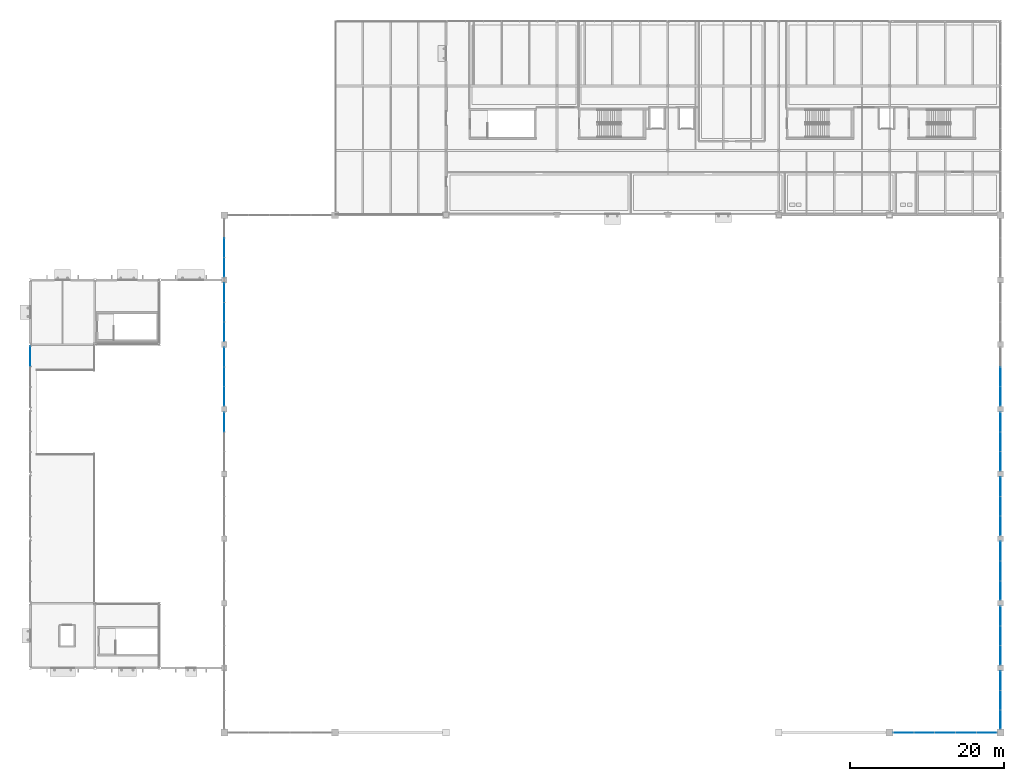
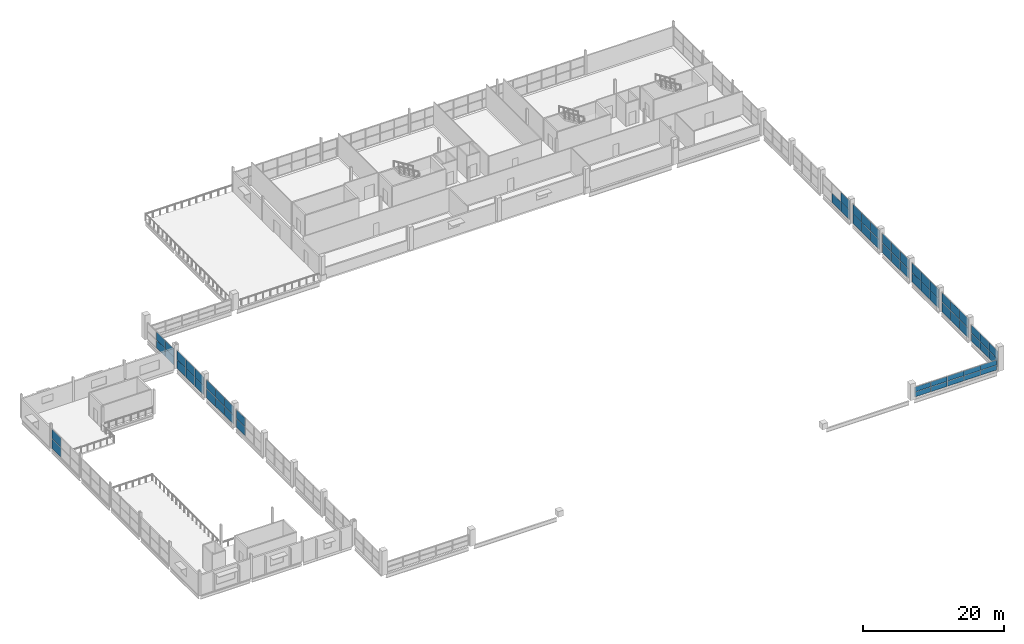
# One storey, part 54 of 68: 63 plates, 12 elements without a shape of their own.
"""IFC4 building model written with IfcOpenShell, lengths in metres."""

from ifc_helpers import new_model, si_unit, direction, frame, origin, origin_2d, place, context, subcontext, project, spatial, rectangle, extrude, material, layer, layer_set, type_object, element, aggregate, save


model = new_model("IFC4")

# Units and contexts
model_context = context("Model", 3, precision=1e-05, world=origin(), true_north=direction((0.0, 1.0)))
body_context = subcontext(model_context, "Body", "Model", "MODEL_VIEW")
ifc_project = project(units=[si_unit("LENGTHUNIT", "METRE"), si_unit("AREAUNIT", "SQUARE_METRE"), si_unit("VOLUMEUNIT", "CUBIC_METRE"), si_unit("PLANEANGLEUNIT", "RADIAN"), si_unit("MASSUNIT", "GRAM", prefix="KILO"), si_unit("THERMODYNAMICTEMPERATUREUNIT", "KELVIN")], contexts=[model_context])

# Site, building, storey
site_placement = place(None, origin())
site = spatial("IfcSite", under=ifc_project, at=site_placement, CompositionType="ELEMENT")
building_placement = place(site_placement, origin())
building = spatial("IfcBuilding", under=site, at=building_placement, Name="Nduvali Passage Aquatics Centre", CompositionType="ELEMENT")
storey_placement = place(building_placement, frame((0.0, 0.0, 13.199951171875)))
storey = spatial("IfcBuildingStorey", under=building, at=storey_placement, Name="L03", CompositionType="ELEMENT", Elevation=13.199951171875)

# Curtain wall, plates
ifc_material_1 = material(Name="Aluminium EN AW-6063 T6", Category="aluminium")
curtain_wall_type_1 = type_object("IfcCurtainWallType", Name="ENV-CW-CLER", PredefinedType="NOTDEFINED", material=ifc_material_1)
curtain_wall_1_placement = place(storey_placement, origin())
curtain_wall_1 = element("IfcCurtainWall", 1, at=curtain_wall_1_placement, inside=storey, type_object=curtain_wall_type_1, Name="L03 West Pool Hall Upper Clerestory 008", PredefinedType="NOTDEFINED")
ifc_material_2 = material(Name="Laminated solar-control low-E IGU")
ifc_layer = layer(ifc_material_2, 0.031982421875, Name="Laminated solar-control low-E IGU")
ifc_layer_set = layer_set([ifc_layer], Name="Laminated solar-control low-E IGU")
plate_type = type_object("IfcPlateType", Name="ENV-PLT-GLZ32", PredefinedType="CURTAIN_PANEL", material=ifc_layer_set)
plate_1_placement = place(storey_placement, frame((25.199951171875, 65.534912109375, 0.06005859375), z_axis=(0.0, 0.0, 1.0), x_axis=(0.0, 1.0, 0.0)))
plate_1 = element("IfcPlate", 2, at=plate_1_placement, type_object=plate_type, Name="West Pool Hall Upper Clerestory Glazed Panel B3-R1", PredefinedType="CURTAIN_PANEL", context=body_context, shape_type="SweptSolid", body=[
    extrude(rectangle(XDim=2.4599609375, YDim=0.031982421875, at=origin_2d()), origin(), (0.0, 0.0, 1.0), 1.510009765625),
])
plate_2_placement = place(storey_placement, frame((25.199951171875, 65.534912109375, 1.6298828125), z_axis=(0.0, 0.0, 1.0), x_axis=(0.0, 1.0, 0.0)))
plate_2 = element("IfcPlate", 3, at=plate_2_placement, type_object=plate_type, Name="West Pool Hall Upper Clerestory Glazed Panel B3-R2", PredefinedType="CURTAIN_PANEL", context=body_context, shape_type="SweptSolid", body=[
    extrude(rectangle(XDim=2.4599609375, YDim=0.031982421875, at=origin_2d()), origin(), (0.0, 0.0, 1.0), 1.510009765625),
])
aggregate(curtain_wall_1, [plate_1, plate_2])

curtain_wall_2_placement = place(storey_placement, origin())
curtain_wall_2 = element("IfcCurtainWall", 4, at=curtain_wall_2_placement, inside=storey, type_object=curtain_wall_type_1, Name="L03 West Pool Hall Upper Clerestory 009", PredefinedType="NOTDEFINED")
plate_3_placement = place(storey_placement, frame((25.199951171875, 68.864990234375, 0.06005859375), z_axis=(0.0, 0.0, 1.0), x_axis=(0.0, 1.0, 0.0)))
plate_3 = element("IfcPlate", 5, at=plate_3_placement, type_object=plate_type, Name="West Pool Hall Upper Clerestory Glazed Panel B1-R1", PredefinedType="CURTAIN_PANEL", context=body_context, shape_type="SweptSolid", body=[
    extrude(rectangle(XDim=2.4599609375, YDim=0.031982421875, at=origin_2d()), origin(), (0.0, 0.0, 1.0), 1.510009765625),
])
plate_4_placement = place(storey_placement, frame((25.199951171875, 68.864990234375, 1.6298828125), z_axis=(0.0, 0.0, 1.0), x_axis=(0.0, 1.0, 0.0)))
plate_4 = element("IfcPlate", 6, at=plate_4_placement, type_object=plate_type, Name="West Pool Hall Upper Clerestory Glazed Panel B1-R2", PredefinedType="CURTAIN_PANEL", context=body_context, shape_type="SweptSolid", body=[
    extrude(rectangle(XDim=2.4599609375, YDim=0.031982421875, at=origin_2d()), origin(), (0.0, 0.0, 1.0), 1.510009765625),
])
plate_5_placement = place(storey_placement, frame((25.199951171875, 71.39990234375, 0.06005859375), z_axis=(0.0, 0.0, 1.0), x_axis=(0.0, 1.0, 0.0)))
plate_5 = element("IfcPlate", 7, at=plate_5_placement, type_object=plate_type, Name="West Pool Hall Upper Clerestory Glazed Panel B2-R1", PredefinedType="CURTAIN_PANEL", context=body_context, shape_type="SweptSolid", body=[
    extrude(rectangle(XDim=2.489990234375, YDim=0.031982421875, at=origin_2d()), origin(), (0.0, 0.0, 1.0), 1.510009765625),
])
plate_6_placement = place(storey_placement, frame((25.199951171875, 71.39990234375, 1.6298828125), z_axis=(0.0, 0.0, 1.0), x_axis=(0.0, 1.0, 0.0)))
plate_6 = element("IfcPlate", 8, at=plate_6_placement, type_object=plate_type, Name="West Pool Hall Upper Clerestory Glazed Panel B2-R2", PredefinedType="CURTAIN_PANEL", context=body_context, shape_type="SweptSolid", body=[
    extrude(rectangle(XDim=2.489990234375, YDim=0.031982421875, at=origin_2d()), origin(), (0.0, 0.0, 1.0), 1.510009765625),
])
plate_7_placement = place(storey_placement, frame((25.199951171875, 73.93505859375, 0.06005859375), z_axis=(0.0, 0.0, 1.0), x_axis=(0.0, 1.0, 0.0)))
plate_7 = element("IfcPlate", 9, at=plate_7_placement, type_object=plate_type, Name="West Pool Hall Upper Clerestory Glazed Panel B3-R1", PredefinedType="CURTAIN_PANEL", context=body_context, shape_type="SweptSolid", body=[
    extrude(rectangle(XDim=2.4599609375, YDim=0.031982421875, at=origin_2d()), origin(), (0.0, 0.0, 1.0), 1.510009765625),
])
plate_8_placement = place(storey_placement, frame((25.199951171875, 73.93505859375, 1.6298828125), z_axis=(0.0, 0.0, 1.0), x_axis=(0.0, 1.0, 0.0)))
plate_8 = element("IfcPlate", 10, at=plate_8_placement, type_object=plate_type, Name="West Pool Hall Upper Clerestory Glazed Panel B3-R2", PredefinedType="CURTAIN_PANEL", context=body_context, shape_type="SweptSolid", body=[
    extrude(rectangle(XDim=2.4599609375, YDim=0.031982421875, at=origin_2d()), origin(), (0.0, 0.0, 1.0), 1.510009765625),
])
aggregate(curtain_wall_2, [plate_3, plate_4, plate_5, plate_6, plate_7, plate_8])

curtain_wall_3_placement = place(storey_placement, origin())
curtain_wall_3 = element("IfcCurtainWall", 11, at=curtain_wall_3_placement, inside=storey, type_object=curtain_wall_type_1, Name="L03 West Pool Hall Upper Clerestory 010", PredefinedType="NOTDEFINED")
plate_9_placement = place(storey_placement, frame((25.199951171875, 77.264892578125, 0.06005859375), z_axis=(0.0, 0.0, 1.0), x_axis=(0.0, 1.0, 0.0)))
plate_9 = element("IfcPlate", 12, at=plate_9_placement, type_object=plate_type, Name="West Pool Hall Upper Clerestory Glazed Panel B1-R1", PredefinedType="CURTAIN_PANEL", context=body_context, shape_type="SweptSolid", body=[
    extrude(rectangle(XDim=2.4599609375, YDim=0.031982421875, at=origin_2d()), origin(), (0.0, 0.0, 1.0), 1.510009765625),
])
plate_10_placement = place(storey_placement, frame((25.199951171875, 77.264892578125, 1.6298828125), z_axis=(0.0, 0.0, 1.0), x_axis=(0.0, 1.0, 0.0)))
plate_10 = element("IfcPlate", 13, at=plate_10_placement, type_object=plate_type, Name="West Pool Hall Upper Clerestory Glazed Panel B1-R2", PredefinedType="CURTAIN_PANEL", context=body_context, shape_type="SweptSolid", body=[
    extrude(rectangle(XDim=2.4599609375, YDim=0.031982421875, at=origin_2d()), origin(), (0.0, 0.0, 1.0), 1.510009765625),
])
plate_11_placement = place(storey_placement, frame((25.199951171875, 79.800048828125, 0.06005859375), z_axis=(0.0, 0.0, 1.0), x_axis=(0.0, 1.0, 0.0)))
plate_11 = element("IfcPlate", 14, at=plate_11_placement, type_object=plate_type, Name="West Pool Hall Upper Clerestory Glazed Panel B2-R1", PredefinedType="CURTAIN_PANEL", context=body_context, shape_type="SweptSolid", body=[
    extrude(rectangle(XDim=2.489990234375, YDim=0.031982421875, at=origin_2d()), origin(), (0.0, 0.0, 1.0), 1.510009765625),
])
plate_12_placement = place(storey_placement, frame((25.199951171875, 79.800048828125, 1.6298828125), z_axis=(0.0, 0.0, 1.0), x_axis=(0.0, 1.0, 0.0)))
plate_12 = element("IfcPlate", 15, at=plate_12_placement, type_object=plate_type, Name="West Pool Hall Upper Clerestory Glazed Panel B2-R2", PredefinedType="CURTAIN_PANEL", context=body_context, shape_type="SweptSolid", body=[
    extrude(rectangle(XDim=2.489990234375, YDim=0.031982421875, at=origin_2d()), origin(), (0.0, 0.0, 1.0), 1.510009765625),
])
plate_13_placement = place(storey_placement, frame((25.199951171875, 82.3349609375, 0.06005859375), z_axis=(0.0, 0.0, 1.0), x_axis=(0.0, 1.0, 0.0)))
plate_13 = element("IfcPlate", 16, at=plate_13_placement, type_object=plate_type, Name="West Pool Hall Upper Clerestory Glazed Panel B3-R1", PredefinedType="CURTAIN_PANEL", context=body_context, shape_type="SweptSolid", body=[
    extrude(rectangle(XDim=2.4599609375, YDim=0.031982421875, at=origin_2d()), origin(), (0.0, 0.0, 1.0), 1.510009765625),
])
plate_14_placement = place(storey_placement, frame((25.199951171875, 82.3349609375, 1.6298828125), z_axis=(0.0, 0.0, 1.0), x_axis=(0.0, 1.0, 0.0)))
plate_14 = element("IfcPlate", 17, at=plate_14_placement, type_object=plate_type, Name="West Pool Hall Upper Clerestory Glazed Panel B3-R2", PredefinedType="CURTAIN_PANEL", context=body_context, shape_type="SweptSolid", body=[
    extrude(rectangle(XDim=2.4599609375, YDim=0.031982421875, at=origin_2d()), origin(), (0.0, 0.0, 1.0), 1.510009765625),
])
aggregate(curtain_wall_3, [plate_9, plate_10, plate_11, plate_12, plate_13, plate_14])

curtain_wall_4_placement = place(storey_placement, origin())
curtain_wall_4 = element("IfcCurtainWall", 18, at=curtain_wall_4_placement, inside=storey, type_object=curtain_wall_type_1, Name="L03 West Pool Hall High Arch Clerestory 014", PredefinedType="NOTDEFINED")
plate_15_placement = place(storey_placement, frame((25.199951171875, 85.652587890625, 0.06005859375), z_axis=(0.0, 0.0, 1.0), x_axis=(0.0, 1.0, 0.0)))
plate_15 = element("IfcPlate", 19, at=plate_15_placement, type_object=plate_type, Name="West Pool Hall High Arch Clerestory Glazed Panel B1-R1", PredefinedType="CURTAIN_PANEL", context=body_context, shape_type="SweptSolid", body=[
    extrude(rectangle(XDim=2.43505859375, YDim=0.031982421875, at=origin_2d()), origin(), (0.0, 0.0, 1.0), 1.360107421875),
])
plate_16_placement = place(storey_placement, frame((25.199951171875, 85.652587890625, 1.47998046875), z_axis=(0.0, 0.0, 1.0), x_axis=(0.0, 1.0, 0.0)))
plate_16 = element("IfcPlate", 20, at=plate_16_placement, type_object=plate_type, Name="West Pool Hall High Arch Clerestory Glazed Panel B1-R2", PredefinedType="CURTAIN_PANEL", context=body_context, shape_type="SweptSolid", body=[
    extrude(rectangle(XDim=2.43505859375, YDim=0.031982421875, at=origin_2d()), origin(), (0.0, 0.0, 1.0), 1.360107421875),
])
plate_17_placement = place(storey_placement, frame((25.199951171875, 88.16259765625, 0.06005859375), z_axis=(0.0, 0.0, 1.0), x_axis=(0.0, 1.0, 0.0)))
plate_17 = element("IfcPlate", 21, at=plate_17_placement, type_object=plate_type, Name="West Pool Hall High Arch Clerestory Glazed Panel B2-R1", PredefinedType="CURTAIN_PANEL", context=body_context, shape_type="SweptSolid", body=[
    extrude(rectangle(XDim=2.465087890625, YDim=0.031982421875, at=origin_2d()), origin(), (0.0, 0.0, 1.0), 1.360107421875),
])
plate_18_placement = place(storey_placement, frame((25.199951171875, 88.16259765625, 1.47998046875), z_axis=(0.0, 0.0, 1.0), x_axis=(0.0, 1.0, 0.0)))
plate_18 = element("IfcPlate", 22, at=plate_18_placement, type_object=plate_type, Name="West Pool Hall High Arch Clerestory Glazed Panel B2-R2", PredefinedType="CURTAIN_PANEL", context=body_context, shape_type="SweptSolid", body=[
    extrude(rectangle(XDim=2.465087890625, YDim=0.031982421875, at=origin_2d()), origin(), (0.0, 0.0, 1.0), 1.360107421875),
])
aggregate(curtain_wall_4, [plate_15, plate_16, plate_17, plate_18])

curtain_wall_5_placement = place(storey_placement, origin())
curtain_wall_5 = element("IfcCurtainWall", 23, at=curtain_wall_5_placement, inside=storey, type_object=curtain_wall_type_1, Name="L03 East Passage Pool Hall High Arch Clerestory 017", PredefinedType="NOTDEFINED")
plate_19_placement = place(storey_placement, frame((126.0, 26.927490234375, 0.06005859375), z_axis=(0.0, 0.0, 1.0), x_axis=(0.0, 1.0, 0.0)))
plate_19 = element("IfcPlate", 24, at=plate_19_placement, type_object=plate_type, Name="East Passage Pool Hall High Arch Clerestory Glazed Panel B1-R1", PredefinedType="CURTAIN_PANEL", context=body_context, shape_type="SweptSolid", body=[
    extrude(rectangle(XDim=2.43505859375, YDim=0.031982421875, at=origin_2d()), origin(), (0.0, 0.0, 1.0), 1.360107421875),
])
plate_20_placement = place(storey_placement, frame((126.0, 26.927490234375, 1.47998046875), z_axis=(0.0, 0.0, 1.0), x_axis=(0.0, 1.0, 0.0)))
plate_20 = element("IfcPlate", 25, at=plate_20_placement, type_object=plate_type, Name="East Passage Pool Hall High Arch Clerestory Glazed Panel B1-R2", PredefinedType="CURTAIN_PANEL", context=body_context, shape_type="SweptSolid", body=[
    extrude(rectangle(XDim=2.43505859375, YDim=0.031982421875, at=origin_2d()), origin(), (0.0, 0.0, 1.0), 1.360107421875),
])
plate_21_placement = place(storey_placement, frame((126.0, 29.4375, 0.06005859375), z_axis=(0.0, 0.0, 1.0), x_axis=(0.0, 1.0, 0.0)))
plate_21 = element("IfcPlate", 26, at=plate_21_placement, type_object=plate_type, Name="East Passage Pool Hall High Arch Clerestory Glazed Panel B2-R1", PredefinedType="CURTAIN_PANEL", context=body_context, shape_type="SweptSolid", body=[
    extrude(rectangle(XDim=2.465087890625, YDim=0.031982421875, at=origin_2d()), origin(), (0.0, 0.0, 1.0), 1.360107421875),
])
plate_22_placement = place(storey_placement, frame((126.0, 29.4375, 1.47998046875), z_axis=(0.0, 0.0, 1.0), x_axis=(0.0, 1.0, 0.0)))
plate_22 = element("IfcPlate", 27, at=plate_22_placement, type_object=plate_type, Name="East Passage Pool Hall High Arch Clerestory Glazed Panel B2-R2", PredefinedType="CURTAIN_PANEL", context=body_context, shape_type="SweptSolid", body=[
    extrude(rectangle(XDim=2.465087890625, YDim=0.031982421875, at=origin_2d()), origin(), (0.0, 0.0, 1.0), 1.360107421875),
])
plate_23_placement = place(storey_placement, frame((126.0, 31.947509765625, 0.06005859375), z_axis=(0.0, 0.0, 1.0), x_axis=(0.0, 1.0, 0.0)))
plate_23 = element("IfcPlate", 28, at=plate_23_placement, type_object=plate_type, Name="East Passage Pool Hall High Arch Clerestory Glazed Panel B3-R1", PredefinedType="CURTAIN_PANEL", context=body_context, shape_type="SweptSolid", body=[
    extrude(rectangle(XDim=2.43505859375, YDim=0.031982421875, at=origin_2d()), origin(), (0.0, 0.0, 1.0), 1.360107421875),
])
plate_24_placement = place(storey_placement, frame((126.0, 31.947509765625, 1.47998046875), z_axis=(0.0, 0.0, 1.0), x_axis=(0.0, 1.0, 0.0)))
plate_24 = element("IfcPlate", 29, at=plate_24_placement, type_object=plate_type, Name="East Passage Pool Hall High Arch Clerestory Glazed Panel B3-R2", PredefinedType="CURTAIN_PANEL", context=body_context, shape_type="SweptSolid", body=[
    extrude(rectangle(XDim=2.43505859375, YDim=0.031982421875, at=origin_2d()), origin(), (0.0, 0.0, 1.0), 1.360107421875),
])
aggregate(curtain_wall_5, [plate_19, plate_20, plate_21, plate_22, plate_23, plate_24])

curtain_wall_6_placement = place(storey_placement, origin())
curtain_wall_6 = element("IfcCurtainWall", 30, at=curtain_wall_6_placement, inside=storey, type_object=curtain_wall_type_1, Name="L03 East Passage Pool Hall High Arch Clerestory 021", PredefinedType="NOTDEFINED")
plate_25_placement = place(storey_placement, frame((126.0, 35.264892578125, 0.06005859375), z_axis=(0.0, 0.0, 1.0), x_axis=(0.0, 1.0, 0.0)))
plate_25 = element("IfcPlate", 31, at=plate_25_placement, type_object=plate_type, Name="East Passage Pool Hall High Arch Clerestory Glazed Panel B1-R1", PredefinedType="CURTAIN_PANEL", context=body_context, shape_type="SweptSolid", body=[
    extrude(rectangle(XDim=2.4599609375, YDim=0.031982421875, at=origin_2d()), origin(), (0.0, 0.0, 1.0), 1.623291015625),
])
plate_26_placement = place(storey_placement, frame((126.0, 35.264892578125, 1.7431640625), z_axis=(0.0, 0.0, 1.0), x_axis=(0.0, 1.0, 0.0)))
plate_26 = element("IfcPlate", 32, at=plate_26_placement, type_object=plate_type, Name="East Passage Pool Hall High Arch Clerestory Glazed Panel B1-R2", PredefinedType="CURTAIN_PANEL", context=body_context, shape_type="SweptSolid", body=[
    extrude(rectangle(XDim=2.4599609375, YDim=0.031982421875, at=origin_2d()), origin(), (0.0, 0.0, 1.0), 1.623291015625),
])
plate_27_placement = place(storey_placement, frame((126.0, 37.800048828125, 0.06005859375), z_axis=(0.0, 0.0, 1.0), x_axis=(0.0, 1.0, 0.0)))
plate_27 = element("IfcPlate", 33, at=plate_27_placement, type_object=plate_type, Name="East Passage Pool Hall High Arch Clerestory Glazed Panel B2-R1", PredefinedType="CURTAIN_PANEL", context=body_context, shape_type="SweptSolid", body=[
    extrude(rectangle(XDim=2.489990234375, YDim=0.031982421875, at=origin_2d()), origin(), (0.0, 0.0, 1.0), 1.623291015625),
])
plate_28_placement = place(storey_placement, frame((126.0, 37.800048828125, 1.7431640625), z_axis=(0.0, 0.0, 1.0), x_axis=(0.0, 1.0, 0.0)))
plate_28 = element("IfcPlate", 34, at=plate_28_placement, type_object=plate_type, Name="East Passage Pool Hall High Arch Clerestory Glazed Panel B2-R2", PredefinedType="CURTAIN_PANEL", context=body_context, shape_type="SweptSolid", body=[
    extrude(rectangle(XDim=2.489990234375, YDim=0.031982421875, at=origin_2d()), origin(), (0.0, 0.0, 1.0), 1.623291015625),
])
plate_29_placement = place(storey_placement, frame((126.0, 40.3349609375, 0.06005859375), z_axis=(0.0, 0.0, 1.0), x_axis=(0.0, 1.0, 0.0)))
plate_29 = element("IfcPlate", 35, at=plate_29_placement, type_object=plate_type, Name="East Passage Pool Hall High Arch Clerestory Glazed Panel B3-R1", PredefinedType="CURTAIN_PANEL", context=body_context, shape_type="SweptSolid", body=[
    extrude(rectangle(XDim=2.4599609375, YDim=0.031982421875, at=origin_2d()), origin(), (0.0, 0.0, 1.0), 1.623291015625),
])
plate_30_placement = place(storey_placement, frame((126.0, 40.3349609375, 1.7431640625), z_axis=(0.0, 0.0, 1.0), x_axis=(0.0, 1.0, 0.0)))
plate_30 = element("IfcPlate", 36, at=plate_30_placement, type_object=plate_type, Name="East Passage Pool Hall High Arch Clerestory Glazed Panel B3-R2", PredefinedType="CURTAIN_PANEL", context=body_context, shape_type="SweptSolid", body=[
    extrude(rectangle(XDim=2.4599609375, YDim=0.031982421875, at=origin_2d()), origin(), (0.0, 0.0, 1.0), 1.623291015625),
])
aggregate(curtain_wall_6, [plate_25, plate_26, plate_27, plate_28, plate_29, plate_30])

curtain_wall_7_placement = place(storey_placement, origin())
curtain_wall_7 = element("IfcCurtainWall", 37, at=curtain_wall_7_placement, inside=storey, type_object=curtain_wall_type_1, Name="L03 East Passage Pool Hall High Arch Clerestory 025", PredefinedType="NOTDEFINED")
plate_31_placement = place(storey_placement, frame((126.0, 43.6650390625, 0.06005859375), z_axis=(0.0, 0.0, 1.0), x_axis=(0.0, 1.0, 0.0)))
plate_31 = element("IfcPlate", 38, at=plate_31_placement, type_object=plate_type, Name="East Passage Pool Hall High Arch Clerestory Glazed Panel B1-R1", PredefinedType="CURTAIN_PANEL", context=body_context, shape_type="SweptSolid", body=[
    extrude(rectangle(XDim=2.4599609375, YDim=0.031982421875, at=origin_2d()), origin(), (0.0, 0.0, 1.0), 1.623291015625),
])
plate_32_placement = place(storey_placement, frame((126.0, 43.6650390625, 1.7431640625), z_axis=(0.0, 0.0, 1.0), x_axis=(0.0, 1.0, 0.0)))
plate_32 = element("IfcPlate", 39, at=plate_32_placement, type_object=plate_type, Name="East Passage Pool Hall High Arch Clerestory Glazed Panel B1-R2", PredefinedType="CURTAIN_PANEL", context=body_context, shape_type="SweptSolid", body=[
    extrude(rectangle(XDim=2.4599609375, YDim=0.031982421875, at=origin_2d()), origin(), (0.0, 0.0, 1.0), 1.623291015625),
])
plate_33_placement = place(storey_placement, frame((126.0, 46.199951171875, 0.06005859375), z_axis=(0.0, 0.0, 1.0), x_axis=(0.0, 1.0, 0.0)))
plate_33 = element("IfcPlate", 40, at=plate_33_placement, type_object=plate_type, Name="East Passage Pool Hall High Arch Clerestory Glazed Panel B2-R1", PredefinedType="CURTAIN_PANEL", context=body_context, shape_type="SweptSolid", body=[
    extrude(rectangle(XDim=2.489990234375, YDim=0.031982421875, at=origin_2d()), origin(), (0.0, 0.0, 1.0), 1.623291015625),
])
plate_34_placement = place(storey_placement, frame((126.0, 46.199951171875, 1.7431640625), z_axis=(0.0, 0.0, 1.0), x_axis=(0.0, 1.0, 0.0)))
plate_34 = element("IfcPlate", 41, at=plate_34_placement, type_object=plate_type, Name="East Passage Pool Hall High Arch Clerestory Glazed Panel B2-R2", PredefinedType="CURTAIN_PANEL", context=body_context, shape_type="SweptSolid", body=[
    extrude(rectangle(XDim=2.489990234375, YDim=0.031982421875, at=origin_2d()), origin(), (0.0, 0.0, 1.0), 1.623291015625),
])
plate_35_placement = place(storey_placement, frame((126.0, 48.735107421875, 0.06005859375), z_axis=(0.0, 0.0, 1.0), x_axis=(0.0, 1.0, 0.0)))
plate_35 = element("IfcPlate", 42, at=plate_35_placement, type_object=plate_type, Name="East Passage Pool Hall High Arch Clerestory Glazed Panel B3-R1", PredefinedType="CURTAIN_PANEL", context=body_context, shape_type="SweptSolid", body=[
    extrude(rectangle(XDim=2.4599609375, YDim=0.031982421875, at=origin_2d()), origin(), (0.0, 0.0, 1.0), 1.623291015625),
])
plate_36_placement = place(storey_placement, frame((126.0, 48.735107421875, 1.7431640625), z_axis=(0.0, 0.0, 1.0), x_axis=(0.0, 1.0, 0.0)))
plate_36 = element("IfcPlate", 43, at=plate_36_placement, type_object=plate_type, Name="East Passage Pool Hall High Arch Clerestory Glazed Panel B3-R2", PredefinedType="CURTAIN_PANEL", context=body_context, shape_type="SweptSolid", body=[
    extrude(rectangle(XDim=2.4599609375, YDim=0.031982421875, at=origin_2d()), origin(), (0.0, 0.0, 1.0), 1.623291015625),
])
aggregate(curtain_wall_7, [plate_31, plate_32, plate_33, plate_34, plate_35, plate_36])

curtain_wall_8_placement = place(storey_placement, origin())
curtain_wall_8 = element("IfcCurtainWall", 44, at=curtain_wall_8_placement, inside=storey, type_object=curtain_wall_type_1, Name="L03 East Passage Pool Hall High Arch Clerestory 029", PredefinedType="NOTDEFINED")
plate_37_placement = place(storey_placement, frame((126.0, 52.06494140625, 0.06005859375), z_axis=(0.0, 0.0, 1.0), x_axis=(0.0, 1.0, 0.0)))
plate_37 = element("IfcPlate", 45, at=plate_37_placement, type_object=plate_type, Name="East Passage Pool Hall High Arch Clerestory Glazed Panel B1-R1", PredefinedType="CURTAIN_PANEL", context=body_context, shape_type="SweptSolid", body=[
    extrude(rectangle(XDim=2.4599609375, YDim=0.031982421875, at=origin_2d()), origin(), (0.0, 0.0, 1.0), 1.623291015625),
])
plate_38_placement = place(storey_placement, frame((126.0, 52.06494140625, 1.7431640625), z_axis=(0.0, 0.0, 1.0), x_axis=(0.0, 1.0, 0.0)))
plate_38 = element("IfcPlate", 46, at=plate_38_placement, type_object=plate_type, Name="East Passage Pool Hall High Arch Clerestory Glazed Panel B1-R2", PredefinedType="CURTAIN_PANEL", context=body_context, shape_type="SweptSolid", body=[
    extrude(rectangle(XDim=2.4599609375, YDim=0.031982421875, at=origin_2d()), origin(), (0.0, 0.0, 1.0), 1.623291015625),
])
plate_39_placement = place(storey_placement, frame((126.0, 54.60009765625, 0.06005859375), z_axis=(0.0, 0.0, 1.0), x_axis=(0.0, 1.0, 0.0)))
plate_39 = element("IfcPlate", 47, at=plate_39_placement, type_object=plate_type, Name="East Passage Pool Hall High Arch Clerestory Glazed Panel B2-R1", PredefinedType="CURTAIN_PANEL", context=body_context, shape_type="SweptSolid", body=[
    extrude(rectangle(XDim=2.489990234375, YDim=0.031982421875, at=origin_2d()), origin(), (0.0, 0.0, 1.0), 1.623291015625),
])
plate_40_placement = place(storey_placement, frame((126.0, 54.60009765625, 1.7431640625), z_axis=(0.0, 0.0, 1.0), x_axis=(0.0, 1.0, 0.0)))
plate_40 = element("IfcPlate", 48, at=plate_40_placement, type_object=plate_type, Name="East Passage Pool Hall High Arch Clerestory Glazed Panel B2-R2", PredefinedType="CURTAIN_PANEL", context=body_context, shape_type="SweptSolid", body=[
    extrude(rectangle(XDim=2.489990234375, YDim=0.031982421875, at=origin_2d()), origin(), (0.0, 0.0, 1.0), 1.623291015625),
])
plate_41_placement = place(storey_placement, frame((126.0, 57.135009765625, 0.06005859375), z_axis=(0.0, 0.0, 1.0), x_axis=(0.0, 1.0, 0.0)))
plate_41 = element("IfcPlate", 49, at=plate_41_placement, type_object=plate_type, Name="East Passage Pool Hall High Arch Clerestory Glazed Panel B3-R1", PredefinedType="CURTAIN_PANEL", context=body_context, shape_type="SweptSolid", body=[
    extrude(rectangle(XDim=2.4599609375, YDim=0.031982421875, at=origin_2d()), origin(), (0.0, 0.0, 1.0), 1.623291015625),
])
plate_42_placement = place(storey_placement, frame((126.0, 57.135009765625, 1.7431640625), z_axis=(0.0, 0.0, 1.0), x_axis=(0.0, 1.0, 0.0)))
plate_42 = element("IfcPlate", 50, at=plate_42_placement, type_object=plate_type, Name="East Passage Pool Hall High Arch Clerestory Glazed Panel B3-R2", PredefinedType="CURTAIN_PANEL", context=body_context, shape_type="SweptSolid", body=[
    extrude(rectangle(XDim=2.4599609375, YDim=0.031982421875, at=origin_2d()), origin(), (0.0, 0.0, 1.0), 1.623291015625),
])
aggregate(curtain_wall_8, [plate_37, plate_38, plate_39, plate_40, plate_41, plate_42])

curtain_wall_9_placement = place(storey_placement, origin())
curtain_wall_9 = element("IfcCurtainWall", 51, at=curtain_wall_9_placement, inside=storey, type_object=curtain_wall_type_1, Name="L03 East Passage Pool Hall High Arch Clerestory 032", PredefinedType="NOTDEFINED")
plate_43_placement = place(storey_placement, frame((126.0, 60.465087890625, 0.06005859375), z_axis=(0.0, 0.0, 1.0), x_axis=(0.0, 1.0, 0.0)))
plate_43 = element("IfcPlate", 52, at=plate_43_placement, type_object=plate_type, Name="East Passage Pool Hall High Arch Clerestory Glazed Panel B1-R1", PredefinedType="CURTAIN_PANEL", context=body_context, shape_type="SweptSolid", body=[
    extrude(rectangle(XDim=2.4599609375, YDim=0.031982421875, at=origin_2d()), origin(), (0.0, 0.0, 1.0), 1.623291015625),
])
plate_44_placement = place(storey_placement, frame((126.0, 60.465087890625, 1.7431640625), z_axis=(0.0, 0.0, 1.0), x_axis=(0.0, 1.0, 0.0)))
plate_44 = element("IfcPlate", 53, at=plate_44_placement, type_object=plate_type, Name="East Passage Pool Hall High Arch Clerestory Glazed Panel B1-R2", PredefinedType="CURTAIN_PANEL", context=body_context, shape_type="SweptSolid", body=[
    extrude(rectangle(XDim=2.4599609375, YDim=0.031982421875, at=origin_2d()), origin(), (0.0, 0.0, 1.0), 1.623291015625),
])
plate_45_placement = place(storey_placement, frame((126.0, 63.0, 0.06005859375), z_axis=(0.0, 0.0, 1.0), x_axis=(0.0, 1.0, 0.0)))
plate_45 = element("IfcPlate", 54, at=plate_45_placement, type_object=plate_type, Name="East Passage Pool Hall High Arch Clerestory Glazed Panel B2-R1", PredefinedType="CURTAIN_PANEL", context=body_context, shape_type="SweptSolid", body=[
    extrude(rectangle(XDim=2.489990234375, YDim=0.031982421875, at=origin_2d()), origin(), (0.0, 0.0, 1.0), 1.623291015625),
])
plate_46_placement = place(storey_placement, frame((126.0, 63.0, 1.7431640625), z_axis=(0.0, 0.0, 1.0), x_axis=(0.0, 1.0, 0.0)))
plate_46 = element("IfcPlate", 55, at=plate_46_placement, type_object=plate_type, Name="East Passage Pool Hall High Arch Clerestory Glazed Panel B2-R2", PredefinedType="CURTAIN_PANEL", context=body_context, shape_type="SweptSolid", body=[
    extrude(rectangle(XDim=2.489990234375, YDim=0.031982421875, at=origin_2d()), origin(), (0.0, 0.0, 1.0), 1.623291015625),
])
plate_47_placement = place(storey_placement, frame((126.0, 65.534912109375, 0.06005859375), z_axis=(0.0, 0.0, 1.0), x_axis=(0.0, 1.0, 0.0)))
plate_47 = element("IfcPlate", 56, at=plate_47_placement, type_object=plate_type, Name="East Passage Pool Hall High Arch Clerestory Glazed Panel B3-R1", PredefinedType="CURTAIN_PANEL", context=body_context, shape_type="SweptSolid", body=[
    extrude(rectangle(XDim=2.4599609375, YDim=0.031982421875, at=origin_2d()), origin(), (0.0, 0.0, 1.0), 1.623291015625),
])
plate_48_placement = place(storey_placement, frame((126.0, 65.534912109375, 1.7431640625), z_axis=(0.0, 0.0, 1.0), x_axis=(0.0, 1.0, 0.0)))
plate_48 = element("IfcPlate", 57, at=plate_48_placement, type_object=plate_type, Name="East Passage Pool Hall High Arch Clerestory Glazed Panel B3-R2", PredefinedType="CURTAIN_PANEL", context=body_context, shape_type="SweptSolid", body=[
    extrude(rectangle(XDim=2.4599609375, YDim=0.031982421875, at=origin_2d()), origin(), (0.0, 0.0, 1.0), 1.623291015625),
])
aggregate(curtain_wall_9, [plate_43, plate_44, plate_45, plate_46, plate_47, plate_48])

curtain_wall_10_placement = place(storey_placement, origin())
curtain_wall_10 = element("IfcCurtainWall", 58, at=curtain_wall_10_placement, inside=storey, type_object=curtain_wall_type_1, Name="L03 East Passage Pool Hall High Arch Clerestory 036", PredefinedType="NOTDEFINED")
plate_49_placement = place(storey_placement, frame((126.0, 68.864990234375, 0.06005859375), z_axis=(0.0, 0.0, 1.0), x_axis=(0.0, 1.0, 0.0)))
plate_49 = element("IfcPlate", 59, at=plate_49_placement, type_object=plate_type, Name="East Passage Pool Hall High Arch Clerestory Glazed Panel B1-R1", PredefinedType="CURTAIN_PANEL", context=body_context, shape_type="SweptSolid", body=[
    extrude(rectangle(XDim=2.4599609375, YDim=0.031982421875, at=origin_2d()), origin(), (0.0, 0.0, 1.0), 1.623291015625),
])
plate_50_placement = place(storey_placement, frame((126.0, 68.864990234375, 1.7431640625), z_axis=(0.0, 0.0, 1.0), x_axis=(0.0, 1.0, 0.0)))
plate_50 = element("IfcPlate", 60, at=plate_50_placement, type_object=plate_type, Name="East Passage Pool Hall High Arch Clerestory Glazed Panel B1-R2", PredefinedType="CURTAIN_PANEL", context=body_context, shape_type="SweptSolid", body=[
    extrude(rectangle(XDim=2.4599609375, YDim=0.031982421875, at=origin_2d()), origin(), (0.0, 0.0, 1.0), 1.623291015625),
])
plate_51_placement = place(storey_placement, frame((126.0, 71.39990234375, 0.06005859375), z_axis=(0.0, 0.0, 1.0), x_axis=(0.0, 1.0, 0.0)))
plate_51 = element("IfcPlate", 61, at=plate_51_placement, type_object=plate_type, Name="East Passage Pool Hall High Arch Clerestory Glazed Panel B2-R1", PredefinedType="CURTAIN_PANEL", context=body_context, shape_type="SweptSolid", body=[
    extrude(rectangle(XDim=2.489990234375, YDim=0.031982421875, at=origin_2d()), origin(), (0.0, 0.0, 1.0), 1.623291015625),
])
aggregate(curtain_wall_10, [plate_49, plate_50, plate_51])

curtain_wall_11_placement = place(storey_placement, origin())
curtain_wall_11 = element("IfcCurtainWall", 62, at=curtain_wall_11_placement, inside=storey, type_object=curtain_wall_type_1, Name="L03 South Pool Hall Upper Saddle Clerestory 053", PredefinedType="NOTDEFINED")
plate_52_placement = place(storey_placement, frame((113.4150390625, 25.199951171875, 0.06005859375), z_axis=(0.0, 0.0, 1.0), x_axis=(1.0, 0.0, 0.0)))
plate_52 = element("IfcPlate", 63, at=plate_52_placement, type_object=plate_type, Name="South Pool Hall Upper Saddle Clerestory Glazed Panel B1-R1", PredefinedType="CURTAIN_PANEL", context=body_context, shape_type="SweptSolid", body=[
    extrude(rectangle(XDim=2.610107421875, YDim=0.031982421875, at=origin_2d()), origin(), (0.0, 0.0, 1.0), 0.820556640625),
])
plate_53_placement = place(storey_placement, frame((113.4150390625, 25.199951171875, 0.9404296875), z_axis=(0.0, 0.0, 1.0), x_axis=(1.0, 0.0, 0.0)))
plate_53 = element("IfcPlate", 64, at=plate_53_placement, type_object=plate_type, Name="South Pool Hall Upper Saddle Clerestory Glazed Panel B1-R2", PredefinedType="CURTAIN_PANEL", context=body_context, shape_type="SweptSolid", body=[
    extrude(rectangle(XDim=2.610107421875, YDim=0.031982421875, at=origin_2d()), origin(), (0.0, 0.0, 1.0), 0.820556640625),
])
plate_54_placement = place(storey_placement, frame((116.10009765625, 25.199951171875, 0.06005859375), z_axis=(0.0, 0.0, 1.0), x_axis=(1.0, 0.0, 0.0)))
plate_54 = element("IfcPlate", 65, at=plate_54_placement, type_object=plate_type, Name="South Pool Hall Upper Saddle Clerestory Glazed Panel B2-R1", PredefinedType="CURTAIN_PANEL", context=body_context, shape_type="SweptSolid", body=[
    extrude(rectangle(XDim=2.639892578125, YDim=0.031982421875, at=origin_2d()), origin(), (0.0, 0.0, 1.0), 0.820556640625),
])
plate_55_placement = place(storey_placement, frame((116.10009765625, 25.199951171875, 0.9404296875), z_axis=(0.0, 0.0, 1.0), x_axis=(1.0, 0.0, 0.0)))
plate_55 = element("IfcPlate", 66, at=plate_55_placement, type_object=plate_type, Name="South Pool Hall Upper Saddle Clerestory Glazed Panel B2-R2", PredefinedType="CURTAIN_PANEL", context=body_context, shape_type="SweptSolid", body=[
    extrude(rectangle(XDim=2.639892578125, YDim=0.031982421875, at=origin_2d()), origin(), (0.0, 0.0, 1.0), 0.820556640625),
])
plate_56_placement = place(storey_placement, frame((118.800048828125, 25.199951171875, 0.06005859375), z_axis=(0.0, 0.0, 1.0), x_axis=(1.0, 0.0, 0.0)))
plate_56 = element("IfcPlate", 67, at=plate_56_placement, type_object=plate_type, Name="South Pool Hall Upper Saddle Clerestory Glazed Panel B3-R1", PredefinedType="CURTAIN_PANEL", context=body_context, shape_type="SweptSolid", body=[
    extrude(rectangle(XDim=2.639892578125, YDim=0.031982421875, at=origin_2d()), origin(), (0.0, 0.0, 1.0), 0.820556640625),
])
plate_57_placement = place(storey_placement, frame((118.800048828125, 25.199951171875, 0.9404296875), z_axis=(0.0, 0.0, 1.0), x_axis=(1.0, 0.0, 0.0)))
plate_57 = element("IfcPlate", 68, at=plate_57_placement, type_object=plate_type, Name="South Pool Hall Upper Saddle Clerestory Glazed Panel B3-R2", PredefinedType="CURTAIN_PANEL", context=body_context, shape_type="SweptSolid", body=[
    extrude(rectangle(XDim=2.639892578125, YDim=0.031982421875, at=origin_2d()), origin(), (0.0, 0.0, 1.0), 0.820556640625),
])
plate_58_placement = place(storey_placement, frame((121.5, 25.199951171875, 0.06005859375), z_axis=(0.0, 0.0, 1.0), x_axis=(1.0, 0.0, 0.0)))
plate_58 = element("IfcPlate", 69, at=plate_58_placement, type_object=plate_type, Name="South Pool Hall Upper Saddle Clerestory Glazed Panel B4-R1", PredefinedType="CURTAIN_PANEL", context=body_context, shape_type="SweptSolid", body=[
    extrude(rectangle(XDim=2.639892578125, YDim=0.031982421875, at=origin_2d()), origin(), (0.0, 0.0, 1.0), 0.820556640625),
])
plate_59_placement = place(storey_placement, frame((121.5, 25.199951171875, 0.9404296875), z_axis=(0.0, 0.0, 1.0), x_axis=(1.0, 0.0, 0.0)))
plate_59 = element("IfcPlate", 70, at=plate_59_placement, type_object=plate_type, Name="South Pool Hall Upper Saddle Clerestory Glazed Panel B4-R2", PredefinedType="CURTAIN_PANEL", context=body_context, shape_type="SweptSolid", body=[
    extrude(rectangle(XDim=2.639892578125, YDim=0.031982421875, at=origin_2d()), origin(), (0.0, 0.0, 1.0), 0.820556640625),
])
plate_60_placement = place(storey_placement, frame((124.18505859375, 25.199951171875, 0.06005859375), z_axis=(0.0, 0.0, 1.0), x_axis=(1.0, 0.0, 0.0)))
plate_60 = element("IfcPlate", 71, at=plate_60_placement, type_object=plate_type, Name="South Pool Hall Upper Saddle Clerestory Glazed Panel B5-R1", PredefinedType="CURTAIN_PANEL", context=body_context, shape_type="SweptSolid", body=[
    extrude(rectangle(XDim=2.610107421875, YDim=0.031982421875, at=origin_2d()), origin(), (0.0, 0.0, 1.0), 0.820556640625),
])
plate_61_placement = place(storey_placement, frame((124.18505859375, 25.199951171875, 0.9404296875), z_axis=(0.0, 0.0, 1.0), x_axis=(1.0, 0.0, 0.0)))
plate_61 = element("IfcPlate", 72, at=plate_61_placement, type_object=plate_type, Name="South Pool Hall Upper Saddle Clerestory Glazed Panel B5-R2", PredefinedType="CURTAIN_PANEL", context=body_context, shape_type="SweptSolid", body=[
    extrude(rectangle(XDim=2.610107421875, YDim=0.031982421875, at=origin_2d()), origin(), (0.0, 0.0, 1.0), 0.820556640625),
])
aggregate(curtain_wall_11, [plate_52, plate_53, plate_54, plate_55, plate_56, plate_57, plate_58, plate_59, plate_60, plate_61])

curtain_wall_type_2 = type_object("IfcCurtainWallType", Name="ENV-CW-DIVE", PredefinedType="NOTDEFINED", material=ifc_material_1)
curtain_wall_12_placement = place(storey_placement, origin())
curtain_wall_12 = element("IfcCurtainWall", 73, at=curtain_wall_12_placement, inside=storey, type_object=curtain_wall_type_2, Name="L03 West Diving 10m Tower Clerestory CW 145", PredefinedType="NOTDEFINED")
plate_62_placement = place(storey_placement, frame((0.0, 74.07666015625, 0.06005859375), z_axis=(0.0, 0.0, 1.0), x_axis=(0.0, 1.0, 0.0)))
plate_62 = element("IfcPlate", 74, at=plate_62_placement, type_object=plate_type, Name="West Diving 10m Tower Clerestory CW Glazed Panel B3-R1", PredefinedType="CURTAIN_PANEL", context=body_context, shape_type="SweptSolid", body=[
    extrude(rectangle(XDim=2.586669921875, YDim=0.031982421875, at=origin_2d()), origin(), (0.0, 0.0, 1.0), 1.623291015625),
])
plate_63_placement = place(storey_placement, frame((0.0, 74.07666015625, 1.7431640625), z_axis=(0.0, 0.0, 1.0), x_axis=(0.0, 1.0, 0.0)))
plate_63 = element("IfcPlate", 75, at=plate_63_placement, type_object=plate_type, Name="West Diving 10m Tower Clerestory CW Glazed Panel B3-R2", PredefinedType="CURTAIN_PANEL", context=body_context, shape_type="SweptSolid", body=[
    extrude(rectangle(XDim=2.586669921875, YDim=0.031982421875, at=origin_2d()), origin(), (0.0, 0.0, 1.0), 1.623291015625),
])
aggregate(curtain_wall_12, [plate_62, plate_63])

save(model, "model.ifc")
